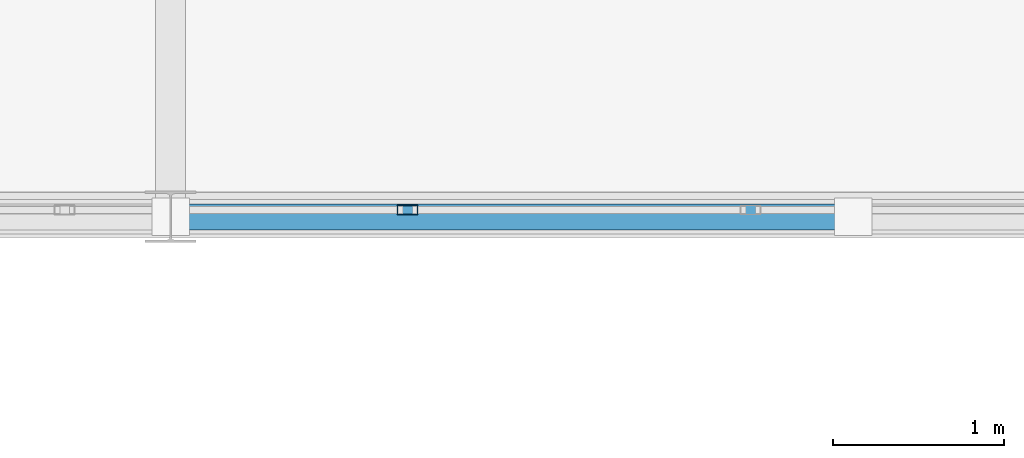
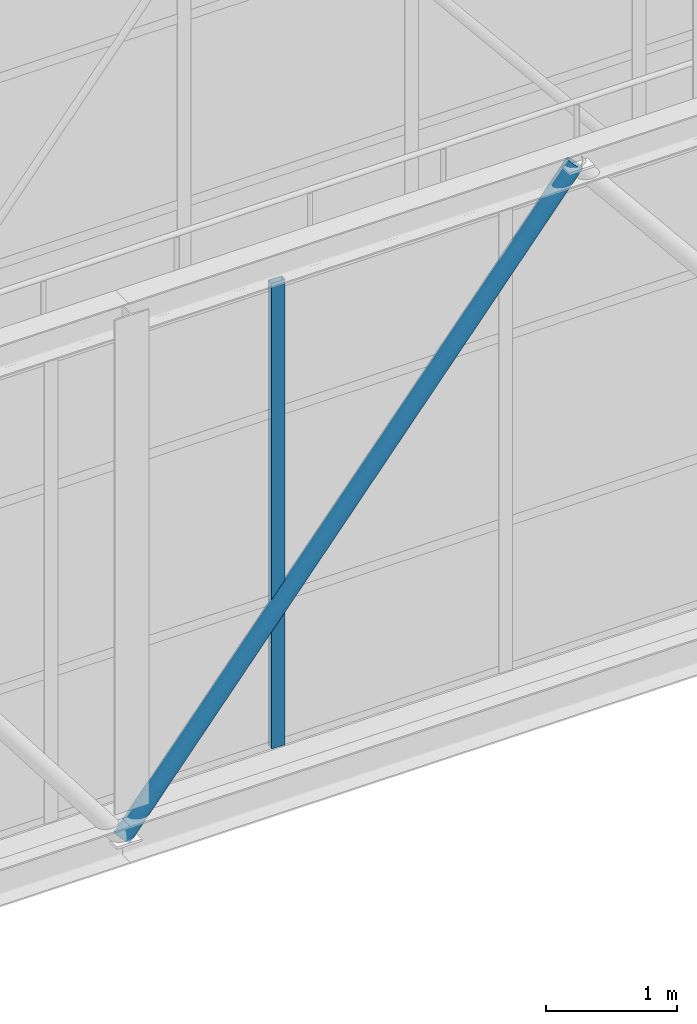
# One storey, part 24 of 248: 2 members, 1 element without a shape of its own.
"""IFC4 building model written with IfcOpenShell, lengths in metres."""

from ifc_helpers import new_model, si_unit, direction, frame, origin, origin_2d, place, context, subcontext, project, spatial, hollow_rectangle, hollow_circle, extrude, material, layer, layer_set, material_profile, profile_set, type_object, element, aggregate, save


model = new_model("IFC4")

# Units and contexts
model_context = context("Model", 3, precision=1e-05, world=origin(), true_north=direction((0.0, 1.0)))
body_context = subcontext(model_context, "Body", "Model", "MODEL_VIEW")
ifc_project = project(units=[si_unit("LENGTHUNIT", "METRE"), si_unit("AREAUNIT", "SQUARE_METRE"), si_unit("VOLUMEUNIT", "CUBIC_METRE"), si_unit("PLANEANGLEUNIT", "RADIAN"), si_unit("MASSUNIT", "GRAM", prefix="KILO")], contexts=[model_context])

# Site, building, storey
site_placement = place(None, origin())
site = spatial("IfcSite", under=ifc_project, at=site_placement, CompositionType="ELEMENT")
building_placement = place(site_placement, origin())
building = spatial("IfcBuilding", under=site, at=building_placement, Name="Canggui Botanical Conservatory", CompositionType="ELEMENT")
storey_placement = place(building_placement, frame((0.0, 0.0, 5.39990234375)))
storey = spatial("IfcBuildingStorey", under=building, at=storey_placement, Name="L02", CompositionType="ELEMENT", Elevation=5.39990234375)

# Curtain wall, member
ifc_material_1 = material(Name="Thermally Broken Aluminium", Category="aluminium")
ifc_layer = layer(ifc_material_1, 0.1201171875, Name="Thermally Broken Aluminium", Category="aluminium")
ifc_layer_set = layer_set([ifc_layer], Name="Thermally Broken Aluminium")
curtain_wall_type = type_object("IfcCurtainWallType", Name="CW-STICK-B", PredefinedType="USERDEFINED", material=ifc_layer_set)
curtain_wall_placement = place(storey_placement, origin())
curtain_wall = element("IfcCurtainWall", 1, at=curtain_wall_placement, inside=storey, type_object=curtain_wall_type, Name="Facade Curtain Wall CW-SB-01-1", ObjectType="STICK GLAZED WALL", PredefinedType="USERDEFINED")
ifc_material_profile_1 = material_profile(ifc_material_1, hollow_rectangle(XDim=0.054931640625, YDim=0.1201171875, WallThickness=0.0029296875, at=origin_2d()), Name="CWM 55x120x3")
ifc_profile_set_1 = profile_set([ifc_material_profile_1], Name="Thermally Broken Aluminium")
member_type_1 = type_object("IfcMemberType", Name="CWM-05", PredefinedType="MULLION", material=ifc_profile_set_1)
member_1_placement = place(storey_placement, frame((74.888671875, 26.0400390625, 0.0), z_axis=(0.0, 0.0, 1.0), x_axis=(0.0, 1.0, 0.0)))
member_1 = element("IfcMember", 2, at=member_1_placement, type_object=member_type_1, Name="CW-05 mullion 5", PredefinedType="MULLION", context=body_context, shape_type="SweptSolid", body=[
    extrude(hollow_rectangle(XDim=0.054931640625, YDim=0.1201171875, WallThickness=0.0029296875, at=origin_2d()), origin(), (0.0, 0.0, 1.0), 4.35009765625),
])
aggregate(curtain_wall, [member_1])

# Member
ifc_material_2 = material(Name="Steel Q355C", Category="steel")
ifc_material_profile_2 = material_profile(ifc_material_2, hollow_circle(Radius=0.075927734375, WallThickness=0.006103515625, at=origin_2d()), Name="CHS 152x6")
ifc_profile_set_2 = profile_set([ifc_material_profile_2], Name="Steel Q355C")
member_type_2 = type_object("IfcMemberType", Name="MEM-GSD04", PredefinedType="RAFTER", material=ifc_profile_set_2)
member_2_placement = place(storey_placement, frame((73.5, 26.0, -0.349853515625), z_axis=(0.632384053133, 0.0, 0.774655026024), x_axis=(0.0, 1.0, 0.0)))
element("IfcMember", 3, at=member_2_placement, inside=storey, type_object=member_type_2, Name="SB-01 Truss Web Rafter 1.2A", PredefinedType="RAFTER", context=body_context, shape_type="SweptSolid", body=[
    extrude(hollow_circle(Radius=0.075927734375, WallThickness=0.006103515625, at=origin_2d()), origin(), (0.0, 0.0, 1.0), 6.3251953125),
])

save(model, "model.ifc")
